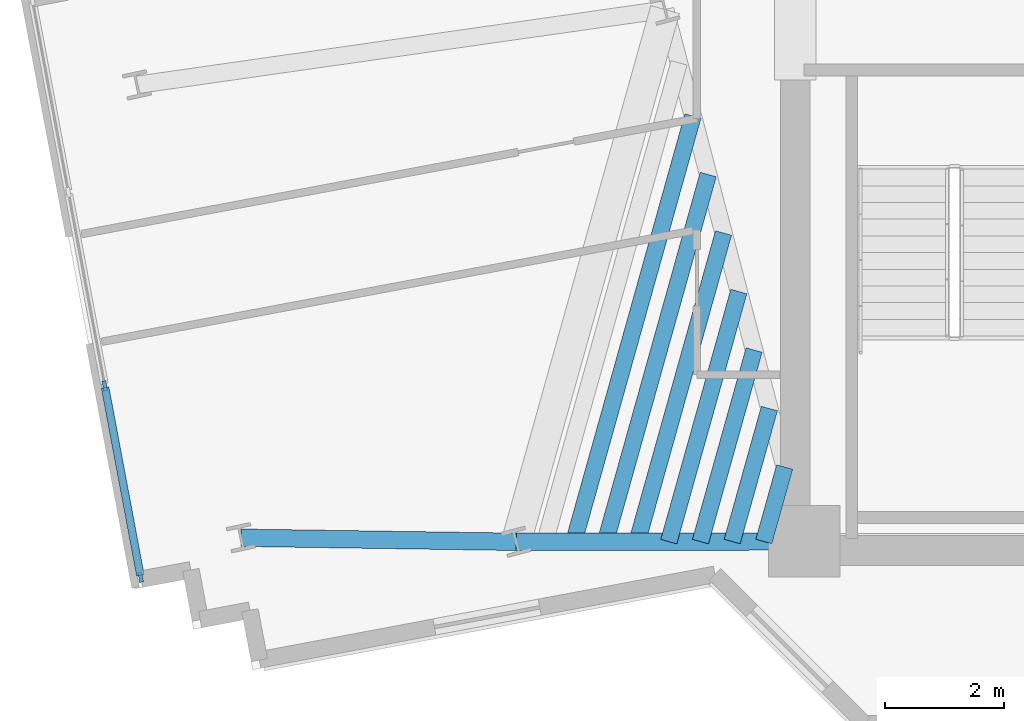
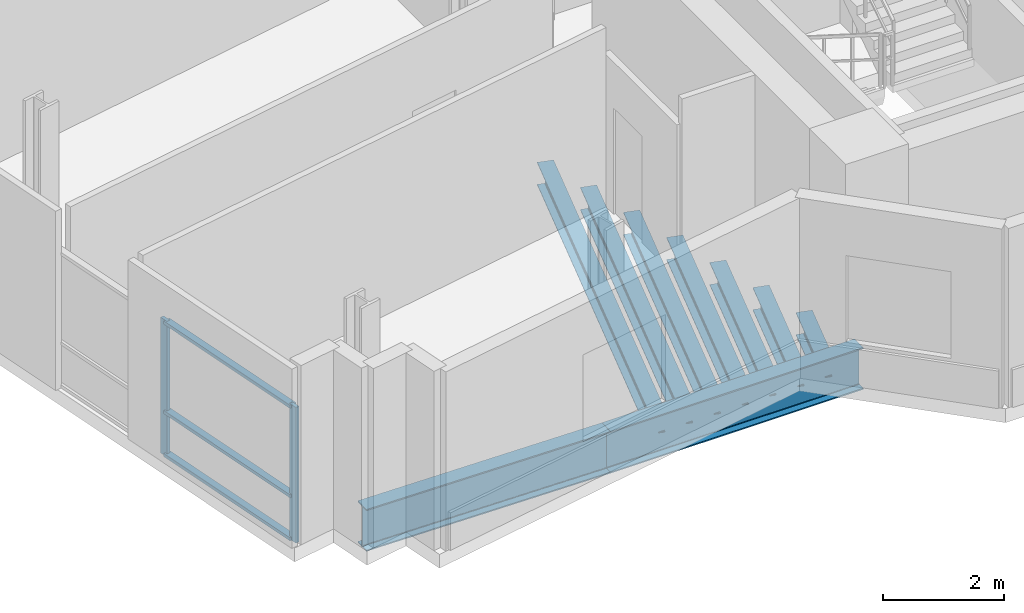
# One storey, part 2 of 16: 9 beams, 5 members, 1 element without a shape of its own.
"""IFC4 building model written with IfcOpenShell, lengths in metres."""

from ifc_helpers import new_model, si_unit, direction, frame, origin, origin_2d, place, context, subcontext, project, spatial, rectangle, i_section, extrude, source, transform, mapped, material, layer, layer_set, material_profile, profile_set, type_object, element, aggregate, save


model = new_model("IFC4")

# Units and contexts
model_context = context("Model", 3, precision=1e-05, world=origin(), true_north=direction((0.0, 1.0)))
body_context = subcontext(model_context, "Body", "Model", "MODEL_VIEW")
ifc_project = project(units=[si_unit("LENGTHUNIT", "METRE"), si_unit("AREAUNIT", "SQUARE_METRE"), si_unit("VOLUMEUNIT", "CUBIC_METRE"), si_unit("PLANEANGLEUNIT", "RADIAN"), si_unit("MASSUNIT", "GRAM", prefix="KILO")], contexts=[model_context])

# Site, building, storey
site_placement = place(None, origin())
site = spatial("IfcSite", under=ifc_project, at=site_placement, CompositionType="ELEMENT")
building_placement = place(site_placement, origin())
building = spatial("IfcBuilding", under=site, at=building_placement, Name="Zahravan Cultural Tower", CompositionType="ELEMENT")
storey_placement = place(building_placement, frame((0.0, 0.0, 155.10009765625)))
storey = spatial("IfcBuildingStorey", under=building, at=storey_placement, Name="L35", CompositionType="ELEMENT", Elevation=155.10009765625)

# Beams
ifc_material_1 = material(Name="Steel ASTM A992 Grade 50", Category="steel")
ifc_material_profile_1 = material_profile(ifc_material_1, i_section(OverallWidth=0.29296875, OverallDepth=0.845947265625, WebThickness=0.015380859375, FlangeThickness=0.0244140625, FilletRadius=0.02001953125, at=origin_2d()), Name="W33X141")
ifc_profile_set_1 = profile_set([ifc_material_profile_1], Name="Steel ASTM A992 Grade 50")
beam_type_1 = type_object("IfcBeamType", Name="BM-G-W33X141", PredefinedType="BEAM", material=ifc_profile_set_1)
shared_shape_1 = source(origin(), body_context, "Body", "SweptSolid", [
    extrude(i_section(OverallWidth=0.29296875, OverallDepth=0.845947265625, WebThickness=0.015380859375, FlangeThickness=0.0244140625, FilletRadius=0.02001953125, at=origin_2d()), origin(), (0.0, 0.0, 1.0), 4.834716796875),
])
beam_1_placement = place(storey_placement, frame((21.64990234375, 17.800048828125, -0.703125), z_axis=(-0.99999920313, -0.001262433979, 0.0), x_axis=(0.001262433979, -0.99999920313, 0.0)))
element("IfcBeam", 1, at=beam_1_placement, inside=storey, type_object=beam_type_1, Name="L35 Beam BG-L35-08", PredefinedType="BEAM", context=body_context, shape_type="MappedRepresentation", body=[
    mapped(shared_shape_1, transform((0.0, 0.0, 0.0), x_axis=(1.0, 0.0, 0.0), y_axis=(0.0, 1.0, 0.0), z_axis=(0.0, 0.0, 1.0), scale=1.0)),
])
shared_shape_2 = source(origin(), body_context, "Body", "SweptSolid", [
    extrude(i_section(OverallWidth=0.29296875, OverallDepth=0.845947265625, WebThickness=0.015380859375, FlangeThickness=0.0244140625, FilletRadius=0.02001953125, at=origin_2d()), origin(), (0.0, 0.0, 1.0), 4.622314453125),
])
beam_2_placement = place(storey_placement, frame((16.815185546875, 17.7939453125, -0.703125), z_axis=(-0.999889070044, 0.014894549562, 0.0), x_axis=(-0.014894549562, -0.999889070044, 0.0)))
element("IfcBeam", 2, at=beam_2_placement, inside=storey, type_object=beam_type_1, Name="L35 Beam BG-L35-18", PredefinedType="BEAM", context=body_context, shape_type="MappedRepresentation", body=[
    mapped(shared_shape_2, transform((0.0, 0.0, 0.0), x_axis=(1.0, 0.0, 0.0), y_axis=(0.0, 1.0, 0.0), z_axis=(0.0, 0.0, 1.0), scale=1.0)),
])
ifc_material_profile_2 = material_profile(ifc_material_1, i_section(OverallWidth=0.280029296875, OverallDepth=0.462890625, WebThickness=0.0107421875, FlangeThickness=0.017333984375, FilletRadius=0.012939453125, at=origin_2d()), Name="W18X76")
ifc_profile_set_2 = profile_set([ifc_material_profile_2], Name="Steel ASTM A992 Grade 50")
beam_type_2 = type_object("IfcBeamType", Name="BM-J-W18X76", PredefinedType="JOIST", material=ifc_profile_set_2)
shared_shape_3 = source(origin(), body_context, "Body", "SweptSolid", [
    extrude(i_section(OverallWidth=0.280029296875, OverallDepth=0.462890625, WebThickness=0.0107421875, FlangeThickness=0.017333984375, FilletRadius=0.012939453125, at=origin_2d()), origin(), (0.0, 0.0, 1.0), 1.299072265625),
])
beam_3_placement = place(storey_placement, frame((21.3232421875, 19.050048828125, -0.51171875), z_axis=(-0.269504444708, -0.962999145525, 0.0), x_axis=(0.962999145525, -0.269504444708, 0.0)))
element("IfcBeam", 3, at=beam_3_placement, inside=storey, type_object=beam_type_2, Name="L35 Beam BJ-L35-26", PredefinedType="JOIST", context=body_context, shape_type="MappedRepresentation", body=[
    mapped(shared_shape_3, transform((0.0, 0.0, 0.0), x_axis=(1.0, 0.0, 0.0), y_axis=(0.0, 1.0, 0.0), z_axis=(0.0, 0.0, 1.0), scale=1.0)),
])
shared_shape_4 = source(origin(), body_context, "Body", "SweptSolid", [
    extrude(i_section(OverallWidth=0.280029296875, OverallDepth=0.462890625, WebThickness=0.0107421875, FlangeThickness=0.017333984375, FilletRadius=0.012939453125, at=origin_2d()), origin(), (0.0, 0.0, 1.0), 2.3193359375),
])
beam_4_placement = place(storey_placement, frame((21.06640625, 20.0322265625, -0.51171875), z_axis=(-0.269462038626, -0.963011012263, 0.0), x_axis=(0.963011012263, -0.269462038626, 0.0)))
element("IfcBeam", 4, at=beam_4_placement, inside=storey, type_object=beam_type_2, Name="L35 Beam BJ-L35-27", PredefinedType="JOIST", context=body_context, shape_type="MappedRepresentation", body=[
    mapped(shared_shape_4, transform((0.0, 0.0, 0.0), x_axis=(1.0, 0.0, 0.0), y_axis=(0.0, 1.0, 0.0), z_axis=(0.0, 0.0, 1.0), scale=1.0)),
])
shared_shape_5 = source(origin(), body_context, "Body", "SweptSolid", [
    extrude(i_section(OverallWidth=0.280029296875, OverallDepth=0.462890625, WebThickness=0.0107421875, FlangeThickness=0.017333984375, FilletRadius=0.012939453125, at=origin_2d()), origin(), (0.0, 0.0, 1.0), 3.340087890625),
])
beam_5_placement = place(storey_placement, frame((20.809814453125, 21.014404296875, -0.51171875), z_axis=(-0.269562146951, -0.962982995141, 0.0), x_axis=(0.962982995141, -0.269562146951, 0.0)))
element("IfcBeam", 5, at=beam_5_placement, inside=storey, type_object=beam_type_2, Name="L35 Beam BJ-L35-28", PredefinedType="JOIST", context=body_context, shape_type="MappedRepresentation", body=[
    mapped(shared_shape_5, transform((0.0, 0.0, 0.0), x_axis=(1.0, 0.0, 0.0), y_axis=(0.0, 1.0, 0.0), z_axis=(0.0, 0.0, 1.0), scale=1.0)),
])
shared_shape_6 = source(origin(), body_context, "Body", "SweptSolid", [
    extrude(i_section(OverallWidth=0.280029296875, OverallDepth=0.462890625, WebThickness=0.0107421875, FlangeThickness=0.017333984375, FilletRadius=0.012939453125, at=origin_2d()), origin(), (0.0, 0.0, 1.0), 4.36083984375),
])
beam_6_placement = place(storey_placement, frame((20.552978515625, 21.99658203125, -0.51171875), z_axis=(-0.269511557673, -0.962997154866, 0.0), x_axis=(0.962997154866, -0.269511557673, 0.0)))
element("IfcBeam", 6, at=beam_6_placement, inside=storey, type_object=beam_type_2, Name="L35 Beam BJ-L35-29", PredefinedType="JOIST", context=body_context, shape_type="MappedRepresentation", body=[
    mapped(shared_shape_6, transform((0.0, 0.0, 0.0), x_axis=(1.0, 0.0, 0.0), y_axis=(0.0, 1.0, 0.0), z_axis=(0.0, 0.0, 1.0), scale=1.0)),
])
shared_shape_7 = source(origin(), body_context, "Body", "SweptSolid", [
    extrude(i_section(OverallWidth=0.280029296875, OverallDepth=0.462890625, WebThickness=0.0107421875, FlangeThickness=0.017333984375, FilletRadius=0.012939453125, at=origin_2d()), origin(), (0.0, 0.0, 1.0), 5.3818359375),
])
beam_7_placement = place(storey_placement, frame((20.296142578125, 22.97900390625, -0.51171875), z_axis=(-0.269510454638, -0.962997463569, 0.0), x_axis=(0.962997463569, -0.269510454638, 0.0)))
element("IfcBeam", 7, at=beam_7_placement, inside=storey, type_object=beam_type_2, Name="L35 Beam BJ-L35-30", PredefinedType="JOIST", context=body_context, shape_type="MappedRepresentation", body=[
    mapped(shared_shape_7, transform((0.0, 0.0, 0.0), x_axis=(1.0, 0.0, 0.0), y_axis=(0.0, 1.0, 0.0), z_axis=(0.0, 0.0, 1.0), scale=1.0)),
])
shared_shape_8 = source(origin(), body_context, "Body", "SweptSolid", [
    extrude(i_section(OverallWidth=0.280029296875, OverallDepth=0.462890625, WebThickness=0.0107421875, FlangeThickness=0.017333984375, FilletRadius=0.012939453125, at=origin_2d()), origin(), (0.0, 0.0, 1.0), 6.402099609375),
])
beam_8_placement = place(storey_placement, frame((20.039306640625, 23.961181640625, -0.51171875), z_axis=(-0.269494133533, -0.963002031146, 0.0), x_axis=(0.963002031146, -0.269494133533, 0.0)))
element("IfcBeam", 8, at=beam_8_placement, inside=storey, type_object=beam_type_2, Name="L35 Beam BJ-L35-31", PredefinedType="JOIST", context=body_context, shape_type="MappedRepresentation", body=[
    mapped(shared_shape_8, transform((0.0, 0.0, 0.0), x_axis=(1.0, 0.0, 0.0), y_axis=(0.0, 1.0, 0.0), z_axis=(0.0, 0.0, 1.0), scale=1.0)),
])
shared_shape_9 = source(origin(), body_context, "Body", "SweptSolid", [
    extrude(i_section(OverallWidth=0.280029296875, OverallDepth=0.462890625, WebThickness=0.0107421875, FlangeThickness=0.017333984375, FilletRadius=0.012939453125, at=origin_2d()), origin(), (0.0, 0.0, 1.0), 7.4228515625),
])
beam_9_placement = place(storey_placement, frame((19.78271484375, 24.943359375, -0.51171875), z_axis=(-0.269504266128, -0.962999195503, 0.0), x_axis=(0.962999195503, -0.269504266128, 0.0)))
element("IfcBeam", 9, at=beam_9_placement, inside=storey, type_object=beam_type_2, Name="L35 Beam BJ-L35-32", PredefinedType="JOIST", context=body_context, shape_type="MappedRepresentation", body=[
    mapped(shared_shape_9, transform((0.0, 0.0, 0.0), x_axis=(1.0, 0.0, 0.0), y_axis=(0.0, 1.0, 0.0), z_axis=(0.0, 0.0, 1.0), scale=1.0)),
])

# Curtain wall, members
ifc_material_2 = material(Name="Anodised bronze-aluminium mullion", Category="aluminium")
ifc_layer = layer(ifc_material_2, 0.1650390625)
ifc_layer_set = layer_set([ifc_layer], Name="Anodised bronze-aluminium mullion")
curtain_wall_type = type_object("IfcCurtainWallType", Name="CW-SYS-4", PredefinedType="USERDEFINED", material=ifc_layer_set)
curtain_wall_placement = place(storey_placement, origin())
curtain_wall = element("IfcCurtainWall", 10, at=curtain_wall_placement, inside=storey, type_object=curtain_wall_type, Name="L35 Recessed Curtain Wall CW-4.2", ObjectType="RECESSED GLAZING", PredefinedType="USERDEFINED")
ifc_material_profile_3 = material_profile(ifc_material_2, rectangle(XDim=0.06494140625, YDim=0.1650390625, at=origin_2d()), Name="AL-M65X165")
ifc_profile_set_3 = profile_set([ifc_material_profile_3], Name="Anodised bronze-aluminium mullion")
member_type_1 = type_object("IfcMemberType", Name="CWM-CW-4", PredefinedType="MULLION", material=ifc_profile_set_3)
shared_shape_10 = source(origin(), body_context, "Body", "SweptSolid", [
    extrude(rectangle(XDim=0.06494140625, YDim=0.1650390625, at=origin_2d()), origin(), (0.0, 0.0, 1.0), 2.739990234375),
])
member_1_placement = place(storey_placement, frame((10.51171875, 17.19775390625, 0.0), z_axis=(0.0, 0.0, 1.0), x_axis=(-0.982806619389, -0.184637885835, 0.0)))
member_1 = element("IfcMember", 11, at=member_1_placement, type_object=member_type_1, Name="CW-4 mullion 1", PredefinedType="MULLION", context=body_context, shape_type="MappedRepresentation", body=[
    mapped(shared_shape_10, transform((0.0, 0.0, 0.0), x_axis=(1.0, 0.0, 0.0), y_axis=(0.0, 1.0, 0.0), z_axis=(0.0, 0.0, 1.0), scale=1.0)),
])
member_2_placement = place(storey_placement, frame((9.906982421875, 20.415771484375, 0.0), z_axis=(0.0, 0.0, 1.0), x_axis=(-0.982806619389, -0.184637885835, 0.0)))
member_2 = element("IfcMember", 12, at=member_2_placement, type_object=member_type_1, Name="CW-4 mullion 2", PredefinedType="MULLION", context=body_context, shape_type="MappedRepresentation", body=[
    mapped(shared_shape_10, transform((0.0, 0.0, 0.0), x_axis=(1.0, 0.0, 0.0), y_axis=(0.0, 1.0, 0.0), z_axis=(0.0, 0.0, 1.0), scale=1.0)),
])
ifc_material_profile_4 = material_profile(ifc_material_2, rectangle(XDim=0.1298828125, YDim=0.06494140625, at=origin_2d()), Name="AL-T65X130")
ifc_profile_set_4 = profile_set([ifc_material_profile_4], Name="Anodised bronze-aluminium mullion")
member_type_2 = type_object("IfcMemberType", Name="CWT-CW-4", PredefinedType="USERDEFINED", material=ifc_profile_set_4)
shared_shape_11 = source(origin(), body_context, "Body", "SweptSolid", [
    extrude(rectangle(XDim=0.1298828125, YDim=0.06494140625, at=origin_2d()), origin(), (0.0, 0.0, 1.0), 3.209228515625),
])
member_3_placement = place(storey_placement, frame((10.505615234375, 17.229736328125, 0.032470703125), z_axis=(-0.184633012408, 0.982807534937, 0.0), x_axis=(-0.982807534937, -0.184633012408, 0.0)))
member_3 = element("IfcMember", 13, at=member_3_placement, type_object=member_type_2, Name="CW-4 transom 1.1", ObjectType="TRANSOM", PredefinedType="USERDEFINED", context=body_context, shape_type="MappedRepresentation", body=[
    mapped(shared_shape_11, transform((0.0, 0.0, 0.0), x_axis=(1.0, 0.0, 0.0), y_axis=(0.0, 1.0, 0.0), z_axis=(0.0, 0.0, 1.0), scale=1.0)),
])
member_4_placement = place(storey_placement, frame((10.505615234375, 17.229736328125, 0.89990234375), z_axis=(-0.184633012408, 0.982807534937, 0.0), x_axis=(-0.982807534937, -0.184633012408, 0.0)))
member_4 = element("IfcMember", 14, at=member_4_placement, type_object=member_type_2, Name="CW-4 transom 1.2", ObjectType="TRANSOM", PredefinedType="USERDEFINED", context=body_context, shape_type="MappedRepresentation", body=[
    mapped(shared_shape_11, transform((0.0, 0.0, 0.0), x_axis=(1.0, 0.0, 0.0), y_axis=(0.0, 1.0, 0.0), z_axis=(0.0, 0.0, 1.0), scale=1.0)),
])
member_5_placement = place(storey_placement, frame((10.505615234375, 17.229736328125, 2.70751953125), z_axis=(-0.184633012408, 0.982807534937, 0.0), x_axis=(-0.982807534937, -0.184633012408, 0.0)))
member_5 = element("IfcMember", 15, at=member_5_placement, type_object=member_type_2, Name="CW-4 transom 1.3", ObjectType="TRANSOM", PredefinedType="USERDEFINED", context=body_context, shape_type="MappedRepresentation", body=[
    mapped(shared_shape_11, transform((0.0, 0.0, 0.0), x_axis=(1.0, 0.0, 0.0), y_axis=(0.0, 1.0, 0.0), z_axis=(0.0, 0.0, 1.0), scale=1.0)),
])
aggregate(curtain_wall, [member_1, member_2, member_3, member_4, member_5])

save(model, "model.ifc")
